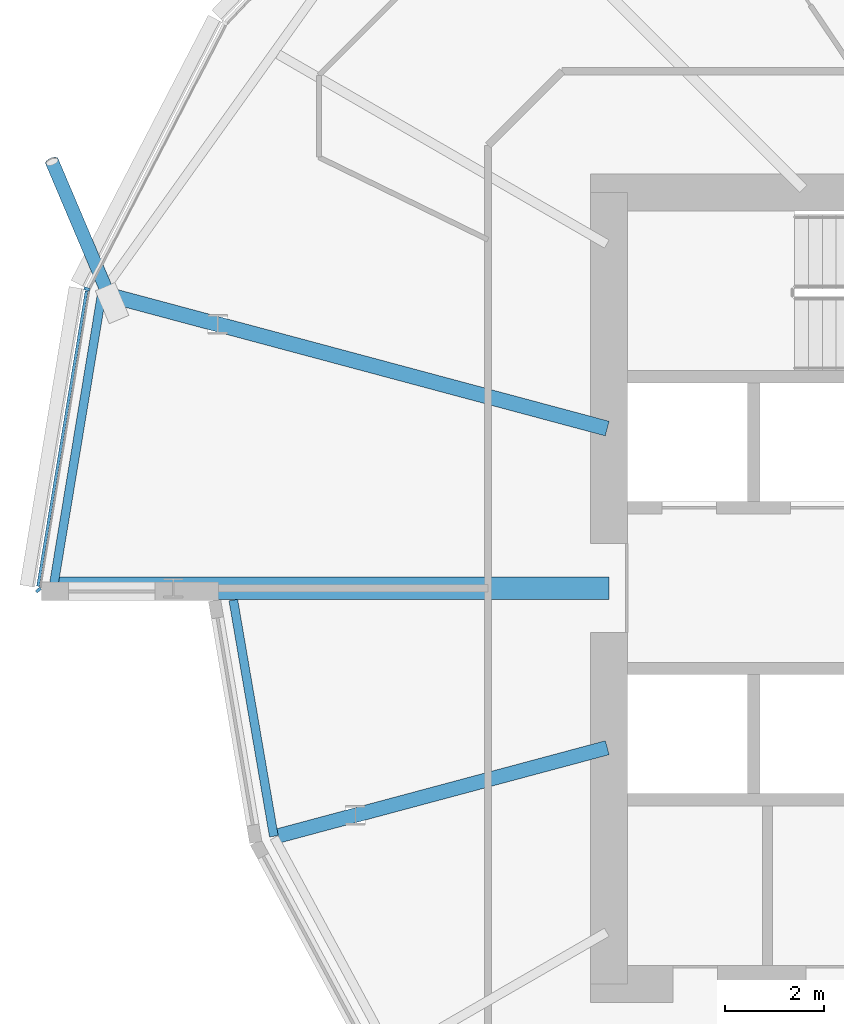
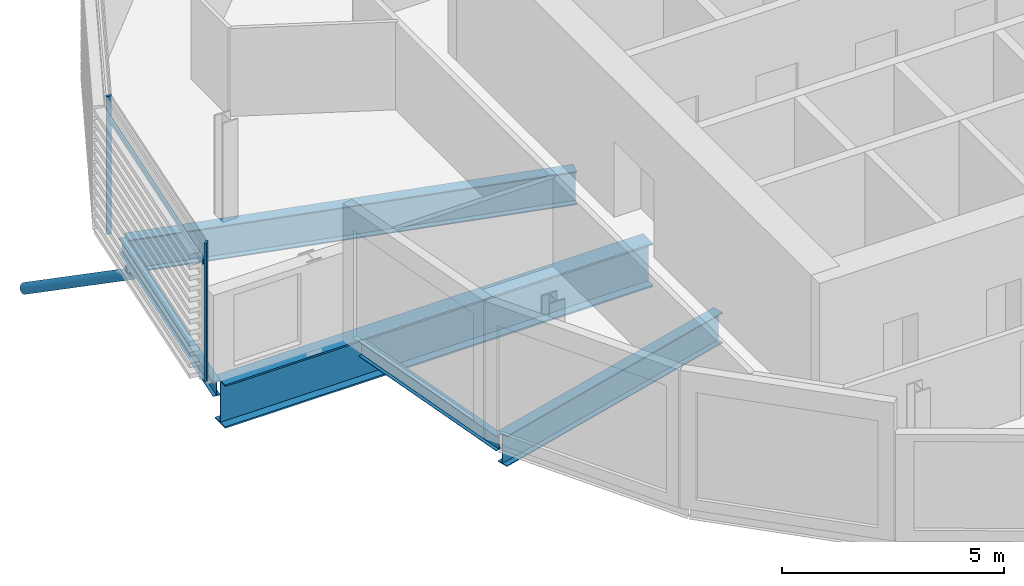
# One storey, part 5 of 39: 5 beams, 4 members, 1 element without a shape of its own.
"""IFC4 building model written with IfcOpenShell, lengths in metres."""

from ifc_helpers import new_model, si_unit, direction, frame, origin, origin_2d, place, context, subcontext, project, spatial, rectangle, hollow_circle, i_section, extrude, clip, halfspace, material, material_profile, profile_set, type_object, element, aggregate, save


model = new_model("IFC4")

# Units and contexts
model_context = context("Model", 3, precision=1e-05, world=origin(), true_north=direction((0.0, 1.0)))
body_context = subcontext(model_context, "Body", "Model", "MODEL_VIEW")
ifc_project = project(units=[si_unit("LENGTHUNIT", "METRE"), si_unit("AREAUNIT", "SQUARE_METRE"), si_unit("VOLUMEUNIT", "CUBIC_METRE"), si_unit("PLANEANGLEUNIT", "RADIAN"), si_unit("MASSUNIT", "GRAM", prefix="KILO")], contexts=[model_context])

# Site, building, storey
site_placement = place(None, origin())
site = spatial("IfcSite", under=ifc_project, at=site_placement, CompositionType="ELEMENT")
building_placement = place(site_placement, origin())
building = spatial("IfcBuilding", under=site, at=building_placement, Name="Rimbun Link Towers", CompositionType="ELEMENT")
storey_placement = place(building_placement, frame((0.0, 0.0, 100.60009765625)))
storey = spatial("IfcBuildingStorey", under=building, at=storey_placement, Name="L24", CompositionType="ELEMENT", Elevation=100.60009765625)

# Curtain wall, members
ifc_material_1 = material(Name="Aluminium 6063-T6 and low-iron glass", Category="aluminium")
curtain_wall_type = type_object("IfcCurtainWallType", Name="CW1-Z2 unitised vision wall (zone 2)", PredefinedType="NOTDEFINED", material=ifc_material_1)
curtain_wall_placement = place(storey_placement, origin())
curtain_wall = element("IfcCurtainWall", 1, at=curtain_wall_placement, inside=storey, type_object=curtain_wall_type, Name="CW1 L24 T1", PredefinedType="NOTDEFINED")
ifc_material_2 = material(Name="Aluminium 6063-T6", Category="aluminium")
ifc_material_profile_1 = material_profile(ifc_material_2, rectangle(XDim=0.1201171875, YDim=0.06005859375, at=origin_2d()), Name="MULLION 60X120")
ifc_profile_set_1 = profile_set([ifc_material_profile_1], Name="Aluminium 6063-T6")
member_type_1 = type_object("IfcMemberType", Name="CW1 mullion 60X120", PredefinedType="MULLION", material=ifc_profile_set_1)
member_1_placement = place(storey_placement, frame((-54.309814453125, 6.048583984375, 0.0), z_axis=(0.0, 0.0, 1.0), x_axis=(-0.949160557063, 0.314792371122, 0.0)))
member_1 = element("IfcMember", 2, at=member_1_placement, type_object=member_type_1, Name="CW1 mullion", PredefinedType="MULLION", context=body_context, shape_type="SweptSolid", body=[
    extrude(rectangle(XDim=0.1201171875, YDim=0.06005859375, at=origin_2d()), origin(), (0.0, 0.0, 1.0), 3.7998046875),
])
member_2_placement = place(storey_placement, frame((-55.2900390625, -0.038818359375, 0.0), z_axis=(0.0, 0.0, 1.0), x_axis=(-0.762318713614, -0.647201806915, 0.0)))
member_2 = element("IfcMember", 3, at=member_2_placement, type_object=member_type_1, Name="CW1 mullion", PredefinedType="MULLION", context=body_context, shape_type="SweptSolid", body=[
    extrude(rectangle(XDim=0.1201171875, YDim=0.06005859375, at=origin_2d()), origin(), (0.0, 0.0, 1.0), 3.7998046875),
])
ifc_material_3 = material(Name="Aluminium 6063-T6", Category="aluminium")
ifc_material_profile_2 = material_profile(ifc_material_3, rectangle(XDim=0.06005859375, YDim=0.1201171875, at=origin_2d()), Name="TRANSOM 60X120")
ifc_profile_set_2 = profile_set([ifc_material_profile_2], Name="Aluminium 6063-T6")
member_type_2 = type_object("IfcMemberType", Name="CW1 transom 60X120", PredefinedType="USERDEFINED", material=ifc_profile_set_2)
member_3_placement = place(storey_placement, frame((-55.296630859375, 0.0390625, 3.199951171875), z_axis=(0.162245888168, 0.986750359398, 0.0), x_axis=(-0.986750359398, 0.162245888168, 0.0)))
member_3 = element("IfcMember", 4, at=member_3_placement, type_object=member_type_2, Name="CW1 transom", ObjectType="TRANSOM", PredefinedType="USERDEFINED", context=body_context, shape_type="SweptSolid", body=[
    extrude(rectangle(XDim=0.06005859375, YDim=0.1201171875, at=origin_2d()), origin(), (0.0, 0.0, 1.0), 6.050537109375),
])
aggregate(curtain_wall, [member_1, member_2, member_3])

# Member
ifc_material_4 = material(Name="Steel S355J2H", Category="steel")
ifc_material_profile_3 = material_profile(ifc_material_4, hollow_circle(Radius=0.136474609375, WallThickness=0.012451171875, at=origin_2d()), Name="CHS 273x12.5")
ifc_profile_set_3 = profile_set([ifc_material_profile_3], Name="Steel S355J2H")
member_type_3 = type_object("IfcMemberType", Name="Floor edge link CHS 273x12.5", PredefinedType="BRACE", material=ifc_profile_set_3)
member_4_placement = place(storey_placement, frame((-53.8701171875, 5.927001953125, -1.197998046875), z_axis=(-0.341386574815, 0.804577672815, -0.485911488797), x_axis=(-0.920560968809, -0.39059890259, 0.0)))
element("IfcMember", 5, at=member_4_placement, inside=storey, type_object=member_type_3, Name="Floor edge link T1 L24 11", PredefinedType="BRACE", context=body_context, shape_type="Clipping", body=[
    clip(extrude(hollow_circle(Radius=0.136474609375, WallThickness=0.012451171875, at=origin_2d()), frame((0.0, 0.0, -0.51171875)), (0.0, 0.0, 1.0), 3.875), halfspace(frame((0.0, 0.0, -0.24169921875), z_axis=(0.0, 0.87400802345, -0.485911488797)), False)),
])

# Beams
ifc_material_5 = material(Name="Steel S355J2", Category="steel")
ifc_material_profile_4 = material_profile(ifc_material_5, i_section(OverallWidth=0.449951171875, OverallDepth=1.199951171875, WebThickness=0.030029296875, FlangeThickness=0.044921875, at=origin_2d()), Name="PG 1200x450x30/45")
ifc_profile_set_4 = profile_set([ifc_material_profile_4], Name="Steel S355J2")
beam_type_1 = type_object("IfcBeamType", Name="PG 1200x450x30/45", PredefinedType="BEAM", material=ifc_profile_set_4)
beam_1_placement = place(storey_placement, frame((-43.7509765625, 0.0, -0.760009765625), z_axis=(-1.0, 0.0, 0.0), x_axis=(0.0, -1.0, 0.0)))
element("IfcBeam", 6, at=beam_1_placement, inside=storey, type_object=beam_type_1, Name="Radial beam T1 L24 12", PredefinedType="BEAM", context=body_context, shape_type="SweptSolid", body=[
    extrude(i_section(OverallWidth=0.449951171875, OverallDepth=1.199951171875, WebThickness=0.030029296875, FlangeThickness=0.044921875, at=origin_2d()), origin(), (0.0, 0.0, 1.0), 11.14892578125),
])
ifc_material_6 = material(Name="Steel S355J2", Category="steel")
ifc_material_profile_5 = material_profile(ifc_material_6, i_section(OverallWidth=0.177978515625, OverallDepth=0.406494140625, WebThickness=0.0078125, FlangeThickness=0.0126953125, at=origin_2d()), Name="UB 406x178x60")
ifc_profile_set_5 = profile_set([ifc_material_profile_5], Name="Steel S355J2")
beam_type_2 = type_object("IfcBeamType", Name="UB 406x178x60", PredefinedType="BEAM", material=ifc_profile_set_5)
beam_2_placement = place(storey_placement, frame((-54.005615234375, 5.96240234375, -0.36328125), z_axis=(-0.163035965688, -0.986620126438, 0.0), x_axis=(0.986620126438, -0.163035965688, 0.0)))
element("IfcBeam", 7, at=beam_2_placement, inside=storey, type_object=beam_type_2, Name="Edge beam T1 L24 11", PredefinedType="BEAM", context=body_context, shape_type="SweptSolid", body=[
    extrude(i_section(OverallWidth=0.177978515625, OverallDepth=0.406494140625, WebThickness=0.0078125, FlangeThickness=0.0126953125, at=origin_2d()), origin(), (0.0, 0.0, 1.0), 6.042236328125),
])
beam_3_placement = place(storey_placement, frame((-51.349365234375, -0.240966796875, -0.36328125), z_axis=(0.169112068925, -0.985596828396, 0.0), x_axis=(0.985596828396, 0.169112068925, 0.0)))
element("IfcBeam", 8, at=beam_3_placement, inside=storey, type_object=beam_type_2, Name="Edge beam T1 L24 12 recess", PredefinedType="BEAM", context=body_context, shape_type="SweptSolid", body=[
    extrude(i_section(OverallWidth=0.177978515625, OverallDepth=0.406494140625, WebThickness=0.0078125, FlangeThickness=0.0126953125, at=origin_2d()), origin(), (0.0, 0.0, 1.0), 4.844970703125),
])
ifc_material_7 = material(Name="Steel S355J2", Category="steel")
ifc_material_profile_6 = material_profile(ifc_material_7, i_section(OverallWidth=0.29248046875, OverallDepth=0.8408203125, WebThickness=0.0126953125, FlangeThickness=0.021728515625, at=origin_2d()), Name="UB 838x292x194")
ifc_profile_set_6 = profile_set([ifc_material_profile_6], Name="Steel S355J2")
beam_type_3 = type_object("IfcBeamType", Name="UB 838x292x194", PredefinedType="BEAM", material=ifc_profile_set_6)
beam_4_placement = place(storey_placement, frame((-43.788818359375, -3.225830078125, -0.58056640625), z_axis=(-0.965925895413, -0.258818787128, 0.0), x_axis=(0.258818787128, -0.965925895413, 0.0)))
element("IfcBeam", 9, at=beam_4_placement, inside=storey, type_object=beam_type_3, Name="Radial beam T1 L24 13", PredefinedType="BEAM", context=body_context, shape_type="SweptSolid", body=[
    extrude(i_section(OverallWidth=0.29248046875, OverallDepth=0.8408203125, WebThickness=0.0126953125, FlangeThickness=0.021728515625, at=origin_2d()), origin(), (0.0, 0.0, 1.0), 6.885986328125),
])
ifc_material_8 = material(Name="Steel S355J2", Category="steel")
ifc_material_profile_7 = material_profile(ifc_material_8, i_section(OverallWidth=0.305419921875, OverallDepth=0.91845703125, WebThickness=0.017333984375, FlangeThickness=0.02783203125, at=origin_2d()), Name="UB 914x305x253")
ifc_profile_set_7 = profile_set([ifc_material_profile_7], Name="Steel S355J2")
beam_type_4 = type_object("IfcBeamType", Name="UB 914x305x253", PredefinedType="BEAM", material=ifc_profile_set_7)
beam_5_placement = place(storey_placement, frame((-43.79052734375, 3.226318359375, -0.619384765625), z_axis=(-0.965927784229, 0.258811737861, 0.0), x_axis=(-0.258811737861, -0.965927784229, 0.0)))
element("IfcBeam", 10, at=beam_5_placement, inside=storey, type_object=beam_type_4, Name="Radial beam T1 L24 11", PredefinedType="BEAM", context=body_context, shape_type="SweptSolid", body=[
    extrude(i_section(OverallWidth=0.305419921875, OverallDepth=0.91845703125, WebThickness=0.017333984375, FlangeThickness=0.02783203125, at=origin_2d()), origin(), (0.0, 0.0, 1.0), 10.48486328125),
])

save(model, "model.ifc")
